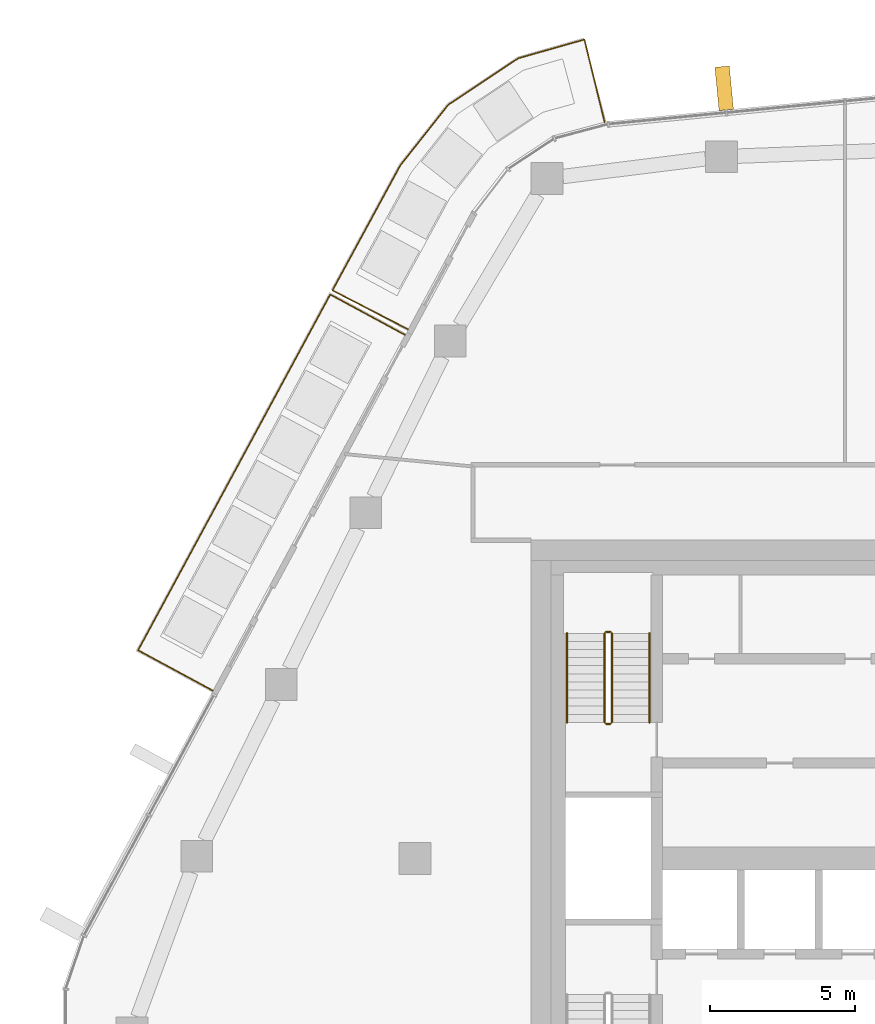
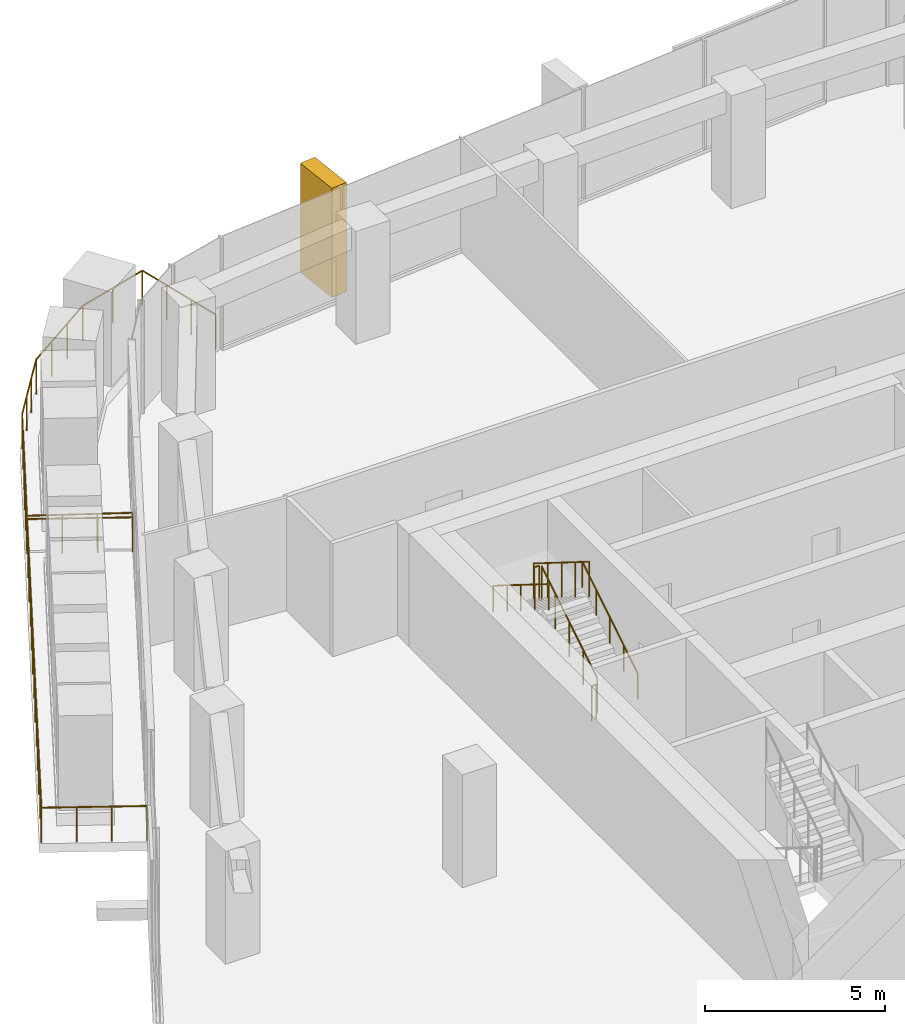
# One storey, part 18 of 20: 8 railings, 1 covering, 1 element without a shape of its own.
"""IFC4 building model written with IfcOpenShell, lengths in metres."""

import ifcopenshell
import ifcopenshell.guid

model = None  # the IFC model being written
_history = None  # IfcOwnerHistory: only IFC2X3 demands one
_inside = {}  # id of a spatial element -> (the spatial element, [elements in it])
_under = {}  # id of a project, library or spatial element -> (it, [spatial elements below it])
_declared = {}  # id of a project -> (the project, [libraries it declares])
_typed = {}  # id of a type object -> (the type object, [elements of that type])
_made_of = {}  # id of a material, layer set ... -> (it, [elements and type objects made of it])


def new_model(schema):
    """Start an empty IFC model of exactly this schema.

    Asked for "IFC4X3", IfcOpenShell would pick the latest addendum, in which some entities
    have other attributes; the version numbers below select the first issue.
    IFC2X3 requires an IfcOwnerHistory on every rooted entity: one is made here for all.
    """
    global model, _history
    if schema == "IFC4X3":
        model = ifcopenshell.file(schema_version=(4, 3, 0, 0))
    else:
        model = ifcopenshell.file(schema=schema)
    _inside.clear()
    _under.clear()
    _declared.clear()
    _typed.clear()
    _made_of.clear()
    _history = None
    if model.schema == "IFC2X3":
        org = make("IfcOrganization", Name="unknown")
        user = make(
            "IfcPersonAndOrganization",
            ThePerson=make("IfcPerson", FamilyName="unknown"),
            TheOrganization=org,
        )
        app = make(
            "IfcApplication",
            ApplicationDeveloper=org,
            Version="unknown",
            ApplicationFullName="unknown",
            ApplicationIdentifier="unknown",
        )
        _history = make(
            "IfcOwnerHistory",
            OwningUser=user,
            OwningApplication=app,
            ChangeAction="ADDED",
            CreationDate=0,
        )
    return model


def make(cls, **values):
    """One entity of the class cls with the attributes given. An attribute that is None is left unset."""
    return model.create_entity(
        cls, **{name: value for name, value in values.items() if value is not None}
    )


def rooted(cls, **values):
    """An entity with a GlobalId (a new one), such as an element, a storey or a relation."""
    return make(cls, GlobalId=ifcopenshell.guid.new(), OwnerHistory=_history, **values)


def si_unit(unit_type, name, prefix=None):
    """IfcSIUnit, for example si_unit("LENGTHUNIT", "METRE", prefix="MILLI")."""
    return make("IfcSIUnit", UnitType=unit_type, Prefix=prefix, Name=name)


def assignment(units):
    """IfcUnitAssignment: the units of a project."""
    return None if units is None else make("IfcUnitAssignment", Units=units)


def point(xyz):
    """IfcCartesianPoint."""
    return None if xyz is None else make("IfcCartesianPoint", Coordinates=xyz)


def direction(xyz):
    """IfcDirection."""
    return None if xyz is None else make("IfcDirection", DirectionRatios=xyz)


def frame(location, z_axis=None, x_axis=None):
    """IfcAxis2Placement3D, a coordinate frame: its origin and axes. An axis left out is left unset."""
    return make(
        "IfcAxis2Placement3D",
        Location=point(location),
        Axis=direction(z_axis),
        RefDirection=direction(x_axis),
    )


def frame_2d(location, x_axis=None):
    """IfcAxis2Placement2D, a coordinate frame in the plane: its origin and x axis."""
    return make(
        "IfcAxis2Placement2D", Location=point(location), RefDirection=direction(x_axis)
    )


def origin():
    """The frame at (0, 0, 0) with its axes left unset."""
    return frame((0.0, 0.0, 0.0))


def origin_2d():
    """The frame at (0, 0) in the plane with its x axis left unset."""
    return frame_2d((0.0, 0.0))


def place(relative_to, where):
    """IfcLocalPlacement: puts the frame where relative to a parent placement (None: the world)."""
    return make(
        "IfcLocalPlacement", PlacementRelTo=relative_to, RelativePlacement=where
    )


def context(
    kind, dimensions, precision=None, world=None, true_north=None, identifier=None
):
    """IfcGeometricRepresentationContext, for example the 3D "Model" context."""
    return make(
        "IfcGeometricRepresentationContext",
        ContextIdentifier=identifier,
        ContextType=kind,
        CoordinateSpaceDimension=dimensions,
        Precision=precision,
        WorldCoordinateSystem=world,
        TrueNorth=true_north,
    )


def subcontext(parent, identifier, kind, view, scale=None):
    """IfcGeometricRepresentationSubContext, for example "Body" below "Model"."""
    return make(
        "IfcGeometricRepresentationSubContext",
        ContextIdentifier=identifier,
        ContextType=kind,
        ParentContext=parent,
        TargetScale=scale,
        TargetView=view,
    )


def project(units=None, contexts=None):
    """IfcProject with its units and contexts."""
    return rooted(
        "IfcProject",
        Name="project",
        RepresentationContexts=contexts,
        UnitsInContext=assignment(units),
    )


def spatial(cls, under=None, at=None, **own):
    """A site, building, storey or space (cls), placed at a placement, below another one or the project."""
    s = rooted(cls, ObjectPlacement=at, **own)
    if under is not None:
        _under.setdefault(under.id(), (under, []))[1].append(s)
    return s


def profile(cls, at=None, kind="AREA", **sizes):
    """A parametric profile (cls). Its sizes go by their IFC names, for example OverallWidth=200.0."""
    return make(cls, ProfileType=kind, Position=at, **sizes)


def rectangle(**sizes):
    """IfcRectangleProfileDef."""
    return profile("IfcRectangleProfileDef", **sizes)


def circle(**sizes):
    """IfcCircleProfileDef."""
    return profile("IfcCircleProfileDef", **sizes)


def extrude(swept, where, along, depth):
    """IfcExtrudedAreaSolid: the profile swept, set in the frame where, extruded along a direction by depth."""
    return make(
        "IfcExtrudedAreaSolid",
        SweptArea=swept,
        Position=where,
        ExtrudedDirection=direction(along),
        Depth=depth,
    )


def shape(context_of_items, identifier, shape_type, items):
    """IfcShapeRepresentation: the items that make up one representation, for example the "Body"."""
    return make(
        "IfcShapeRepresentation",
        ContextOfItems=context_of_items,
        RepresentationIdentifier=identifier,
        RepresentationType=shape_type,
        Items=items,
    )


def material(Name=None, Category=None):
    """IfcMaterial."""
    return make("IfcMaterial", Name=Name, Category=Category)


def layer(
    of_material, thickness, ventilated=None, Name=None, Category=None, Priority=None
):
    """IfcMaterialLayer: one layer of a wall or slab, of a material (None: an air gap)."""
    return make(
        "IfcMaterialLayer",
        Material=of_material,
        LayerThickness=thickness,
        IsVentilated=ventilated,
        Name=Name,
        Category=Category,
        Priority=Priority,
    )


def layer_set(layers, Name=None):
    """IfcMaterialLayerSet."""
    return make("IfcMaterialLayerSet", MaterialLayers=layers, LayerSetName=Name)


def material_profile(
    of_material, cross_section, Name=None, Category=None, Priority=None
):
    """IfcMaterialProfile: a cross section and its material."""
    return make(
        "IfcMaterialProfile",
        Name=Name,
        Material=of_material,
        Profile=cross_section,
        Priority=Priority,
        Category=Category,
    )


def profile_set(profiles, Name=None, composite=None):
    """IfcMaterialProfileSet."""
    return make(
        "IfcMaterialProfileSet",
        Name=Name,
        MaterialProfiles=profiles,
        CompositeProfile=composite,
    )


def made_of(thing, what):
    """Note that an element or type object is made of a material, layer set ...; save() writes the relation."""
    if what is not None:
        _made_of.setdefault(what.id(), (what, []))[1].append(thing)
    return thing


def type_object(cls, material=None, **own):
    """A type object (cls), such as IfcWallType, which elements share."""
    return made_of(rooted(cls, **own), material)


def element(
    cls,
    number,
    at=None,
    inside=None,
    cuts=None,
    type_object=None,
    material=None,
    context=None,
    identifier="Body",
    shape_type=None,
    held_by="IfcProductDefinitionShape",
    body=None,
    shapes=None,
    **own,
):
    """One element of the class cls, such as IfcWall. Its Tag is "e" and its number.

    at: its placement. inside: the storey or other place that contains it. cuts: it is an
    opening in that element (IfcRelVoidsElement). A single representation is given by context,
    identifier, shape_type and body (its items); several are given by shapes. held_by: the class
    of the entity that holds the representations. save() writes the other relations.
    """
    e = rooted(cls, Tag="e%d" % number, ObjectPlacement=at, **own)
    if body is not None:
        shapes = [shape(context, identifier, shape_type, body)]
    if shapes is not None:
        e.Representation = make(held_by, Representations=shapes)
    if inside is not None:
        _inside.setdefault(inside.id(), (inside, []))[1].append(e)
    if cuts is not None:
        rooted(
            "IfcRelVoidsElement", RelatingBuildingElement=cuts, RelatedOpeningElement=e
        )
    if type_object is not None:
        _typed.setdefault(type_object.id(), (type_object, []))[1].append(e)
    return made_of(e, material)


def aggregate(whole, parts):
    """IfcRelAggregates: a whole, such as a stair, and the parts it consists of."""
    return rooted("IfcRelAggregates", RelatingObject=whole, RelatedObjects=parts)


def save(model, path):
    """Write the relations noted so far, then the file.

    IfcRelAggregates (storeys below a building ...), IfcRelContainedInSpatialStructure (elements
    in a storey), IfcRelDefinesByType, IfcRelAssociatesMaterial and IfcRelDeclares: one each for
    every whole, place, type object, material and project.
    """
    for whole, parts in _under.values():
        aggregate(whole, parts)
    for where, things in _inside.values():
        rooted(
            "IfcRelContainedInSpatialStructure",
            RelatedElements=things,
            RelatingStructure=where,
        )
    for kind, things in _typed.values():
        rooted("IfcRelDefinesByType", RelatedObjects=things, RelatingType=kind)
    for what, things in _made_of.values():
        rooted("IfcRelAssociatesMaterial", RelatedObjects=things, RelatingMaterial=what)
    for by, libraries in _declared.values():
        rooted("IfcRelDeclares", RelatingContext=by, RelatedDefinitions=libraries)
    model.write(path)


model = new_model("IFC4")

# Units and contexts
model_context = context("Model", 3, precision=1e-05, world=origin(), true_north=direction((0.0, 1.0)))
body_context = subcontext(model_context, "Body", "Model", "MODEL_VIEW")
ifc_project = project(units=[si_unit("LENGTHUNIT", "METRE"), si_unit("AREAUNIT", "SQUARE_METRE"), si_unit("VOLUMEUNIT", "CUBIC_METRE"), si_unit("PLANEANGLEUNIT", "RADIAN"), si_unit("MASSUNIT", "GRAM", prefix="KILO")], contexts=[model_context])

# Site, building, storey
site_placement = place(None, origin())
site = spatial("IfcSite", under=ifc_project, at=site_placement, CompositionType="ELEMENT")
building_placement = place(site_placement, origin())
building = spatial("IfcBuilding", under=site, at=building_placement, Name="Dongbaek Canopy Tower", CompositionType="ELEMENT")
storey_placement = place(building_placement, frame((0.0, 0.0, 262.199951171875)))
storey = spatial("IfcBuildingStorey", under=building, at=storey_placement, Name="L55", CompositionType="ELEMENT", Elevation=262.199951171875)

# Railings
ifc_material_1 = material(Name="Stainless steel", Category="steel")
railing_type_1 = type_object("IfcRailingType", Name="Balcony balustrade 1200", PredefinedType="BALUSTRADE", material=ifc_material_1)
railing_1_placement = place(storey_placement, frame((-18.34375, 18.087158203125, 0.0)))
element("IfcRailing", 1, at=railing_1_placement, inside=storey, type_object=railing_type_1, Name="Balcony guard L55 2", PredefinedType="BALUSTRADE", context=body_context, shape_type="SweptSolid", body=[
    extrude(circle(Radius=0.02392578125, at=origin_2d()), frame((0.0, 0.0, 1.17578125), z_axis=(-0.879899842687, 0.475159201572, 0.0), x_axis=(-0.475159201572, -0.879899842687, 0.0)), (0.0, 0.0, 1.0), 2.93994140625),
    extrude(circle(Radius=0.02392578125, at=origin_2d()), frame((-2.5869140625, 1.39697265625, 1.17578125), z_axis=(-0.475204117879, -0.879875585723, 0.0), x_axis=(0.879875585723, -0.475204117879, 0.0)), (0.0, 0.0, 1.0), 13.97021484375),
    extrude(circle(Radius=0.02392578125, at=origin_2d()), frame((-9.2255859375, -10.89501953125, 1.17578125), z_axis=(0.879899842687, -0.475159201572, 0.0), x_axis=(0.475159201572, 0.879899842687, 0.0)), (0.0, 0.0, 1.0), 2.93994140625),
    extrude(circle(Radius=0.02099609375, at=origin_2d()), origin(), (0.0, 0.0, 1.0), 1.15185546875),
    extrude(circle(Radius=0.02099609375, at=origin_2d()), frame((-0.8623046875, 0.465576171875, 0.0)), (0.0, 0.0, 1.0), 1.15185546875),
    extrude(circle(Radius=0.02099609375, at=origin_2d()), frame((-1.724609375, 0.931396484375, 0.0)), (0.0, 0.0, 1.0), 1.15185546875),
    extrude(circle(Radius=0.02099609375, at=origin_2d()), frame((-2.5869140625, 1.39697265625, 0.0)), (0.0, 0.0, 1.0), 1.15185546875),
    extrude(circle(Radius=0.02099609375, at=origin_2d()), frame((-3.14013671875, 0.37255859375, 0.0)), (0.0, 0.0, 1.0), 1.15185546875),
    extrude(circle(Radius=0.02099609375, at=origin_2d()), frame((-3.693359375, -0.651611328125, 0.0)), (0.0, 0.0, 1.0), 1.15185546875),
    extrude(circle(Radius=0.02099609375, at=origin_2d()), frame((-4.24658203125, -1.676025390625, 0.0)), (0.0, 0.0, 1.0), 1.15185546875),
    extrude(circle(Radius=0.02099609375, at=origin_2d()), frame((-4.7998046875, -2.700439453125, 0.0)), (0.0, 0.0, 1.0), 1.15185546875),
    extrude(circle(Radius=0.02099609375, at=origin_2d()), frame((-5.35302734375, -3.724609375, 0.0)), (0.0, 0.0, 1.0), 1.15185546875),
    extrude(circle(Radius=0.02099609375, at=origin_2d()), frame((-5.90625, -4.7490234375, 0.0)), (0.0, 0.0, 1.0), 1.15185546875),
    extrude(circle(Radius=0.02099609375, at=origin_2d()), frame((-6.45947265625, -5.7734375, 0.0)), (0.0, 0.0, 1.0), 1.15185546875),
    extrude(circle(Radius=0.02099609375, at=origin_2d()), frame((-7.0126953125, -6.797607421875, 0.0)), (0.0, 0.0, 1.0), 1.15185546875),
    extrude(circle(Radius=0.02099609375, at=origin_2d()), frame((-7.56591796875, -7.822021484375, 0.0)), (0.0, 0.0, 1.0), 1.15185546875),
    extrude(circle(Radius=0.02099609375, at=origin_2d()), frame((-8.119140625, -8.846435546875, 0.0)), (0.0, 0.0, 1.0), 1.15185546875),
    extrude(circle(Radius=0.02099609375, at=origin_2d()), frame((-8.67236328125, -9.87060546875, 0.0)), (0.0, 0.0, 1.0), 1.15185546875),
    extrude(circle(Radius=0.02099609375, at=origin_2d()), frame((-9.2255859375, -10.89501953125, 0.0)), (0.0, 0.0, 1.0), 1.15185546875),
    extrude(circle(Radius=0.02099609375, at=origin_2d()), frame((-8.36328125, -11.360595703125, 0.0)), (0.0, 0.0, 1.0), 1.15185546875),
    extrude(circle(Radius=0.02099609375, at=origin_2d()), frame((-7.5009765625, -11.826416015625, 0.0)), (0.0, 0.0, 1.0), 1.15185546875),
    extrude(circle(Radius=0.02099609375, at=origin_2d()), frame((-6.638671875, -12.2919921875, 0.0)), (0.0, 0.0, 1.0), 1.15185546875),
])
railing_2_placement = place(storey_placement, frame((-11.449951171875, 25.438232421875, 0.0)))
element("IfcRailing", 2, at=railing_2_placement, inside=storey, type_object=railing_type_1, Name="Balcony guard L55 6", PredefinedType="BALUSTRADE", context=body_context, shape_type="SweptSolid", body=[
    extrude(circle(Radius=0.02392578125, at=origin_2d()), frame((0.0, 0.0, 1.17578125), z_axis=(-0.237120549382, 0.971480234004, 0.0), x_axis=(-0.971480234004, -0.237120549382, 0.0)), (0.0, 0.0, 1.0), 2.940673828125),
    extrude(circle(Radius=0.02392578125, at=origin_2d()), frame((-0.697265625, 2.856689453125, 1.17578125), z_axis=(-0.962106970468, -0.272672289346, 0.0), x_axis=(0.272672289346, -0.962106970468, 0.0)), (0.0, 0.0, 1.0), 2.377197265625),
    extrude(circle(Radius=0.02392578125, at=origin_2d()), frame((-2.984375, 2.20849609375, 1.17578125), z_axis=(-0.833044753419, -0.553205602649, 0.0), x_axis=(0.553205602649, -0.833044753419, 0.0)), (0.0, 0.0, 1.0), 2.904296875),
    extrude(circle(Radius=0.02392578125, at=origin_2d()), frame((-5.40380859375, 0.601806640625, 1.17578125), z_axis=(-0.620498893161, -0.784207321813, 0.0), x_axis=(0.784207321813, -0.620498893161, 0.0)), (0.0, 0.0, 1.0), 2.66650390625),
    extrude(circle(Radius=0.02392578125, at=origin_2d()), frame((-7.058349609375, -1.4892578125, 1.17578125), z_axis=(-0.476956058282, -0.878927140592, 0.0), x_axis=(0.878927140592, -0.476956058282, 0.0)), (0.0, 0.0, 1.0), 4.919677734375),
    extrude(circle(Radius=0.02392578125, at=origin_2d()), frame((-9.40478515625, -5.813232421875, 1.17578125), z_axis=(0.889407399776, -0.457115387209, 0.0), x_axis=(0.457115387209, 0.889407399776, 0.0)), (0.0, 0.0, 1.0), 2.940673828125),
    extrude(circle(Radius=0.02099609375, at=origin_2d()), origin(), (0.0, 0.0, 1.0), 1.15185546875),
    extrude(circle(Radius=0.02099609375, at=origin_2d()), frame((-0.232421875, 0.9521484375, 0.0)), (0.0, 0.0, 1.0), 1.15185546875),
    extrude(circle(Radius=0.02099609375, at=origin_2d()), frame((-0.46484375, 1.904541015625, 0.0)), (0.0, 0.0, 1.0), 1.15185546875),
    extrude(circle(Radius=0.02099609375, at=origin_2d()), frame((-0.697265625, 2.856689453125, 0.0)), (0.0, 0.0, 1.0), 1.15185546875),
    extrude(circle(Radius=0.02099609375, at=origin_2d()), frame((-1.8408203125, 2.53271484375, 0.0)), (0.0, 0.0, 1.0), 1.15185546875),
    extrude(circle(Radius=0.02099609375, at=origin_2d()), frame((-2.984375, 2.20849609375, 0.0)), (0.0, 0.0, 1.0), 1.15185546875),
    extrude(circle(Radius=0.02099609375, at=origin_2d()), frame((-3.790771484375, 1.6728515625, 0.0)), (0.0, 0.0, 1.0), 1.15185546875),
    extrude(circle(Radius=0.02099609375, at=origin_2d()), frame((-4.597412109375, 1.137451171875, 0.0)), (0.0, 0.0, 1.0), 1.15185546875),
    extrude(circle(Radius=0.02099609375, at=origin_2d()), frame((-5.40380859375, 0.601806640625, 0.0)), (0.0, 0.0, 1.0), 1.15185546875),
    extrude(circle(Radius=0.02099609375, at=origin_2d()), frame((-5.955322265625, -0.09521484375, 0.0)), (0.0, 0.0, 1.0), 1.15185546875),
    extrude(circle(Radius=0.02099609375, at=origin_2d()), frame((-6.5068359375, -0.792236328125, 0.0)), (0.0, 0.0, 1.0), 1.15185546875),
    extrude(circle(Radius=0.02099609375, at=origin_2d()), frame((-7.058349609375, -1.4892578125, 0.0)), (0.0, 0.0, 1.0), 1.15185546875),
    extrude(circle(Radius=0.02099609375, at=origin_2d()), frame((-7.527587890625, -2.35400390625, 0.0)), (0.0, 0.0, 1.0), 1.15185546875),
    extrude(circle(Radius=0.02099609375, at=origin_2d()), frame((-7.996826171875, -3.21875, 0.0)), (0.0, 0.0, 1.0), 1.15185546875),
    extrude(circle(Radius=0.02099609375, at=origin_2d()), frame((-8.46630859375, -4.083740234375, 0.0)), (0.0, 0.0, 1.0), 1.15185546875),
    extrude(circle(Radius=0.02099609375, at=origin_2d()), frame((-8.935546875, -4.948486328125, 0.0)), (0.0, 0.0, 1.0), 1.15185546875),
    extrude(circle(Radius=0.02099609375, at=origin_2d()), frame((-9.40478515625, -5.813232421875, 0.0)), (0.0, 0.0, 1.0), 1.15185546875),
    extrude(circle(Radius=0.02099609375, at=origin_2d()), frame((-8.532958984375, -6.26123046875, 0.0)), (0.0, 0.0, 1.0), 1.15185546875),
    extrude(circle(Radius=0.02099609375, at=origin_2d()), frame((-7.6611328125, -6.70947265625, 0.0)), (0.0, 0.0, 1.0), 1.15185546875),
    extrude(circle(Radius=0.02099609375, at=origin_2d()), frame((-6.789306640625, -7.157470703125, 0.0)), (0.0, 0.0, 1.0), 1.15185546875),
])

# Curtain wall, covering
ifc_material_2 = material(Name="Aluminium 6063-T6 pale anodised", Category="aluminium")
ifc_layer = layer(ifc_material_2, 0.199951171875)
ifc_layer_set = layer_set([ifc_layer], Name="CW-1 unitised tower curtain wall")
curtain_wall_type = type_object("IfcCurtainWallType", Name="CW-1 unitised tower curtain wall", PredefinedType="NOTDEFINED", material=ifc_layer_set)
curtain_wall_placement = place(storey_placement, origin())
curtain_wall = element("IfcCurtainWall", 3, at=curtain_wall_placement, inside=storey, type_object=curtain_wall_type, Name="CW-1 curtain wall F1.1", PredefinedType="NOTDEFINED")
ifc_material_3 = material(Name="Aluminium 6063-T6 pale metal fin", Category="aluminium")
ifc_material_profile = material_profile(ifc_material_3, rectangle(XDim=1.5, YDim=0.5, at=origin_2d()), Name="Fin FN1 500 x 1500 pale metal")
ifc_profile_set = profile_set([ifc_material_profile], Name="Aluminium 6063-T6 pale metal fin")
covering_type = type_object("IfcCoveringType", Name="Fin FN1 500 x 1500 pale metal", PredefinedType="CLADDING", material=ifc_profile_set)
covering_placement = place(storey_placement, frame((-7.319580078125, 26.610107421875, 0.1201171875), z_axis=(0.0, 0.0, 1.0), x_axis=(-0.096505718384, 0.995332430055, 0.0)))
covering = element("IfcCovering", 4, at=covering_placement, type_object=covering_type, Name="Fin F1.1.5", PredefinedType="CLADDING", context=body_context, shape_type="SweptSolid", body=[
    extrude(rectangle(XDim=1.5, YDim=0.5, at=origin_2d()), origin(), (0.0, 0.0, 1.0), 3.699951171875),
])
aggregate(curtain_wall, [covering])

# Railings
ifc_material_4 = material(Name="Stainless steel tube and balusters", Category="steel")
railing_type_2 = type_object("IfcRailingType", Name="Stair guard 1200", PredefinedType="GUARDRAIL", material=ifc_material_4)
railing_3_placement = place(storey_placement, frame((-11.199951171875, 4.699951171875, 0.175048828125)))
element("IfcRailing", 5, at=railing_3_placement, inside=storey, type_object=railing_type_2, Name="L55 ST-C stair guard 1", PredefinedType="GUARDRAIL", context=body_context, shape_type="SweptSolid", body=[
    extrude(circle(Radius=0.02392578125, at=origin_2d()), frame((0.0, 0.0, 1.17578125), z_axis=(0.0, 0.847998304005, 0.529998940003), x_axis=(-1.0, 0.0, 0.0)), (0.0, 0.0, 1.0), 3.632080078125),
    extrude(circle(Radius=0.02099609375, at=origin_2d()), origin(), (0.0, 0.0, 1.0), 1.15185546875),
    extrude(circle(Radius=0.02099609375, at=origin_2d()), frame((0.0, 0.77001953125, 0.481201171875)), (0.0, 0.0, 1.0), 1.15185546875),
    extrude(circle(Radius=0.02099609375, at=origin_2d()), frame((0.0, 1.5400390625, 0.96240234375)), (0.0, 0.0, 1.0), 1.15185546875),
    extrude(circle(Radius=0.02099609375, at=origin_2d()), frame((0.0, 2.31005859375, 1.44384765625)), (0.0, 0.0, 1.0), 1.15185546875),
    extrude(circle(Radius=0.02099609375, at=origin_2d()), frame((0.0, 3.080078125, 1.925048828125)), (0.0, 0.0, 1.0), 1.15185546875),
])
railing_4_placement = place(storey_placement, frame((-11.25, 7.830078125, 2.10009765625)))
element("IfcRailing", 6, at=railing_4_placement, inside=storey, type_object=railing_type_2, Name="L55 ST-C stair guard 2", PredefinedType="GUARDRAIL", context=body_context, shape_type="SweptSolid", body=[
    extrude(circle(Radius=0.02392578125, at=origin_2d()), frame((0.0, 0.0, 1.17578125), z_axis=(-1.0, 0.0, 0.0), x_axis=(0.0, -1.0, 0.0)), (0.0, 0.0, 1.0), 0.14990234375),
    extrude(circle(Radius=0.02099609375, at=origin_2d()), origin(), (0.0, 0.0, 1.0), 1.15185546875),
    extrude(circle(Radius=0.02099609375, at=origin_2d()), frame((-0.14990234375, 0.0, 0.0)), (0.0, 0.0, 1.0), 1.15185546875),
])
railing_5_placement = place(storey_placement, frame((-11.449951171875, 7.780029296875, 2.275146484375)))
element("IfcRailing", 7, at=railing_5_placement, inside=storey, type_object=railing_type_2, Name="L55 ST-C stair guard 3", PredefinedType="GUARDRAIL", context=body_context, shape_type="SweptSolid", body=[
    extrude(circle(Radius=0.02392578125, at=origin_2d()), frame((0.0, 0.0, 1.17578125), z_axis=(0.0, -0.848028513186, 0.529950602248), x_axis=(1.0, 0.0, 0.0)), (0.0, 0.0, 1.0), 3.632080078125),
    extrude(circle(Radius=0.02099609375, at=origin_2d()), origin(), (0.0, 0.0, 1.0), 1.15185546875),
    extrude(circle(Radius=0.02099609375, at=origin_2d()), frame((0.0, -0.77001953125, 0.481201171875)), (0.0, 0.0, 1.0), 1.15185546875),
    extrude(circle(Radius=0.02099609375, at=origin_2d()), frame((0.0, -1.5400390625, 0.96240234375)), (0.0, 0.0, 1.0), 1.15185546875),
    extrude(circle(Radius=0.02099609375, at=origin_2d()), frame((0.0, -2.31005859375, 1.443603515625)), (0.0, 0.0, 1.0), 1.15185546875),
    extrude(circle(Radius=0.02099609375, at=origin_2d()), frame((0.0, -3.080078125, 1.9248046875)), (0.0, 0.0, 1.0), 1.15185546875),
])
railing_6_placement = place(storey_placement, frame((-11.25, 4.64990234375, 0.0)))
element("IfcRailing", 8, at=railing_6_placement, inside=storey, type_object=railing_type_2, Name="L55 ST-C stair guard 4", PredefinedType="GUARDRAIL", context=body_context, shape_type="SweptSolid", body=[
    extrude(circle(Radius=0.02392578125, at=origin_2d()), frame((0.0, 0.0, 1.17578125), z_axis=(-1.0, 0.0, 0.0), x_axis=(0.0, -1.0, 0.0)), (0.0, 0.0, 1.0), 0.14990234375),
    extrude(circle(Radius=0.02099609375, at=origin_2d()), origin(), (0.0, 0.0, 1.0), 1.15185546875),
    extrude(circle(Radius=0.02099609375, at=origin_2d()), frame((-0.14990234375, 0.0, 0.0)), (0.0, 0.0, 1.0), 1.15185546875),
])
ifc_material_5 = material(Name="Stainless steel tube", Category="steel")
railing_type_3 = type_object("IfcRailingType", Name="Stair handrail 900", PredefinedType="HANDRAIL", material=ifc_material_5)
railing_7_placement = place(storey_placement, frame((-9.89990234375, 4.699951171875, 0.175048828125)))
element("IfcRailing", 9, at=railing_7_placement, inside=storey, type_object=railing_type_3, Name="L55 ST-C stair handrail 1", PredefinedType="HANDRAIL", context=body_context, shape_type="SweptSolid", body=[
    extrude(circle(Radius=0.02392578125, at=origin_2d()), frame((0.0, 0.0, 0.8759765625), z_axis=(0.0, 0.847998304005, 0.529998940003), x_axis=(-1.0, 0.0, 0.0)), (0.0, 0.0, 1.0), 3.632080078125),
    extrude(circle(Radius=0.02099609375, at=origin_2d()), origin(), (0.0, 0.0, 1.0), 0.851806640625),
    extrude(circle(Radius=0.02099609375, at=origin_2d()), frame((0.0, 0.77001953125, 0.481201171875)), (0.0, 0.0, 1.0), 0.851806640625),
    extrude(circle(Radius=0.02099609375, at=origin_2d()), frame((0.0, 1.5400390625, 0.96240234375)), (0.0, 0.0, 1.0), 0.851806640625),
    extrude(circle(Radius=0.02099609375, at=origin_2d()), frame((0.0, 2.31005859375, 1.44384765625)), (0.0, 0.0, 1.0), 0.851806640625),
    extrude(circle(Radius=0.02099609375, at=origin_2d()), frame((0.0, 3.080078125, 1.925048828125)), (0.0, 0.0, 1.0), 0.851806640625),
])
railing_8_placement = place(storey_placement, frame((-12.75, 7.780029296875, 2.275146484375)))
element("IfcRailing", 10, at=railing_8_placement, inside=storey, type_object=railing_type_3, Name="L55 ST-C stair handrail 2", PredefinedType="HANDRAIL", context=body_context, shape_type="SweptSolid", body=[
    extrude(circle(Radius=0.02392578125, at=origin_2d()), frame((0.0, 0.0, 0.8759765625), z_axis=(0.0, -0.848028513186, 0.529950602248), x_axis=(1.0, 0.0, 0.0)), (0.0, 0.0, 1.0), 3.632080078125),
    extrude(circle(Radius=0.02099609375, at=origin_2d()), origin(), (0.0, 0.0, 1.0), 0.851806640625),
    extrude(circle(Radius=0.02099609375, at=origin_2d()), frame((0.0, -0.77001953125, 0.481201171875)), (0.0, 0.0, 1.0), 0.851806640625),
    extrude(circle(Radius=0.02099609375, at=origin_2d()), frame((0.0, -1.5400390625, 0.96240234375)), (0.0, 0.0, 1.0), 0.851806640625),
    extrude(circle(Radius=0.02099609375, at=origin_2d()), frame((0.0, -2.31005859375, 1.443603515625)), (0.0, 0.0, 1.0), 0.851806640625),
    extrude(circle(Radius=0.02099609375, at=origin_2d()), frame((0.0, -3.080078125, 1.9248046875)), (0.0, 0.0, 1.0), 0.851806640625),
])

save(model, "model.ifc")
